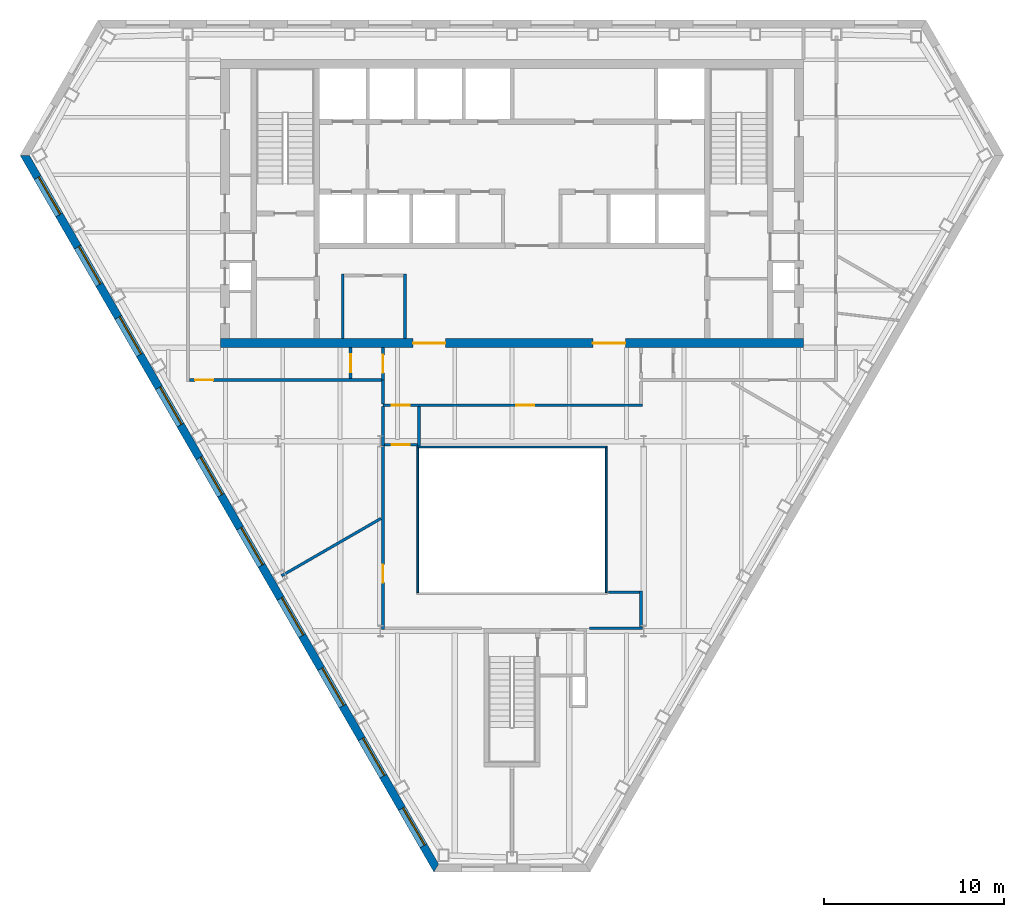
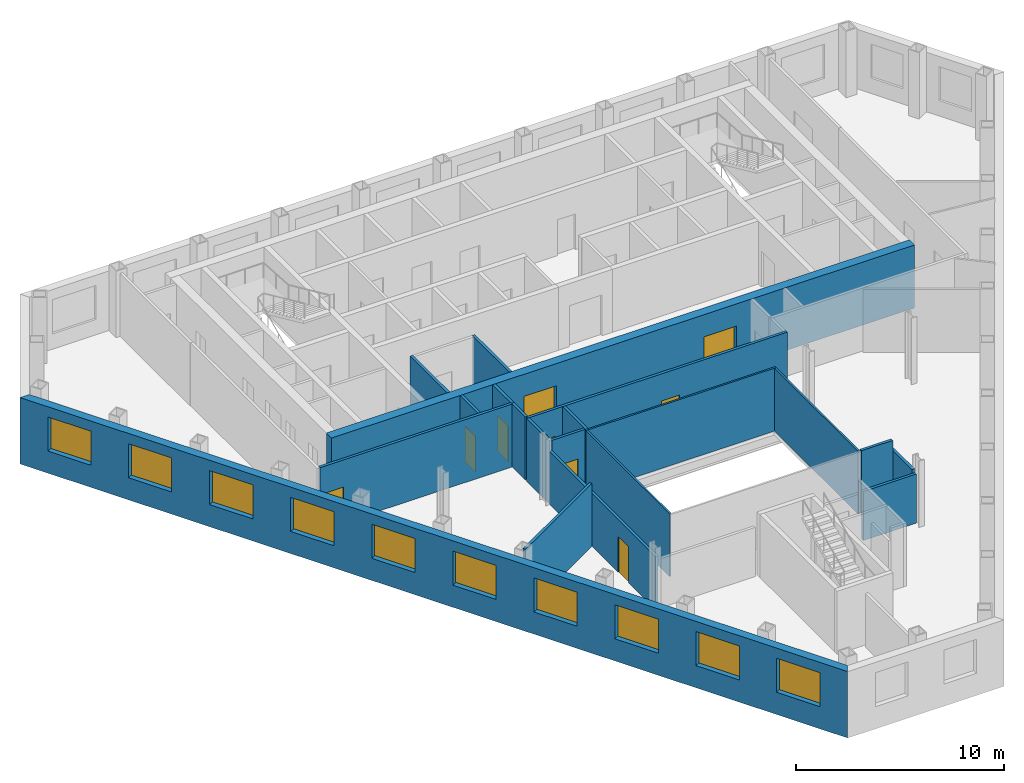
# One storey, part 4 of 10: 20 walls, 10 windows, 9 doors, 19 openings.
"""IFC4 building model written with IfcOpenShell, lengths in metres."""

from ifc_helpers import new_model, si_unit, direction, frame, frame_2d, origin, place, context, subcontext, project, spatial, polyline, rectangle, outline, extrude, material, layer, layer_set, type_object, element, fill, save


model = new_model("IFC4")

# Units and contexts
model_context = context("Model", 3, precision=1e-05, world=origin(), true_north=direction((0.0, 1.0)))
body_context = subcontext(model_context, "Body", "Model", "MODEL_VIEW")
ifc_project = project(units=[si_unit("LENGTHUNIT", "METRE"), si_unit("AREAUNIT", "SQUARE_METRE"), si_unit("VOLUMEUNIT", "CUBIC_METRE"), si_unit("PLANEANGLEUNIT", "RADIAN"), si_unit("MASSUNIT", "GRAM", prefix="KILO")], contexts=[model_context])

# Site, building, storey
site_placement = place(None, origin())
site = spatial("IfcSite", under=ifc_project, at=site_placement, CompositionType="ELEMENT")
building_placement = place(site_placement, origin())
building = spatial("IfcBuilding", under=site, at=building_placement, Name="Njiva Tower", CompositionType="ELEMENT")
storey_placement = place(building_placement, frame((0.0, 0.0, 155.4)))
storey = spatial("IfcBuildingStorey", under=building, at=storey_placement, Name="L33", CompositionType="ELEMENT", Elevation=155.4)

# Walls
ifc_material_1 = material(Name="Blockwork", Category="masonry")
ifc_layer_1 = layer(ifc_material_1, 0.15)
ifc_layer_set_1 = layer_set([ifc_layer_1], Name="Blockwork")
wall_type_1 = type_object("IfcWallType", Name="WT1 Compartment partition 150", PredefinedType="PARTITIONING", material=ifc_layer_set_1)
for number, where, z_axis, x_axis, name in (
    (1, (-9.4, 2.5, 0.0), (0.0, 0.0, 1.0), (0.0, 1.0, 0.0), "Information office wall west"),
    (2, (-5.95, 2.5, 0.0), (0.0, 0.0, 1.0), (0.0, 1.0, 0.0), "Information office wall east"),
):
    element("IfcWall", number, at=place(storey_placement, frame(where, z_axis=z_axis, x_axis=x_axis)), inside=storey, type_object=wall_type_1, Name=name, PredefinedType="PARTITIONING", context=body_context, shape_type="SweptSolid", body=[
        extrude(rectangle(XDim=3.575, YDim=0.15, at=frame_2d((1.7875, 0.0))), origin(), (0.0, 0.0, 1.0), 3.7),
    ])

# Wall, openings, doors
ifc_material_2 = material(Name="Concrete C60/75", Category="concrete")
ifc_layer_2 = layer(ifc_material_2, 0.5)
ifc_layer_set_2 = layer_set([ifc_layer_2], Name="Concrete C60/75")
wall_type_2 = type_object("IfcWallType", Name="WT13 Core wall 500", PredefinedType="SHEAR", material=ifc_layer_set_2)
wall_1_placement = place(storey_placement, frame((-16.2, 2.25, 0.0), z_axis=(0.0, 0.0, 1.0), x_axis=(1.0, 0.0, 0.0)))
wall_1 = element("IfcWall", 3, at=wall_1_placement, inside=storey, type_object=wall_type_2, Name="Core wall south", PredefinedType="SHEAR", context=body_context, shape_type="SweptSolid", body=[
    extrude(rectangle(XDim=32.4, YDim=0.5, at=frame_2d((16.2, 0.0))), origin(), (0.0, 0.0, 1.0), 3.7),
])
opening_1_placement = place(wall_1_placement, frame((10.7, 0.0, 0.0)))
opening_1 = element("IfcOpeningElement", 4, at=opening_1_placement, cuts=wall_1, Name="Opening S11-D934", PredefinedType="OPENING", context=body_context, shape_type="SweptSolid", body=[
    extrude(rectangle(XDim=1.8, YDim=2.4, at=frame_2d((0.9, 1.2))), frame((0.0, 0.26, 0.0), z_axis=(0.0, -1.0, 0.0), x_axis=(1.0, 0.0, 0.0)), (0.0, 0.0, 1.0), 0.52),
])
opening_2_placement = place(wall_1_placement, frame((20.7, 0.0, 0.0)))
opening_2 = element("IfcOpeningElement", 5, at=opening_2_placement, cuts=wall_1, Name="Opening S11-D935", PredefinedType="OPENING", context=body_context, shape_type="SweptSolid", body=[
    extrude(rectangle(XDim=1.8, YDim=2.4, at=frame_2d((0.9, 1.2))), frame((0.0, 0.26, 0.0), z_axis=(0.0, -1.0, 0.0), x_axis=(1.0, 0.0, 0.0)), (0.0, 0.0, 1.0), 0.52),
])
ifc_material_3 = material(Name="Steel and glass door", Category="steel")
door_type_1 = type_object("IfcDoorType", Name="D3 Core entrance door 1800x2400", OperationType="DOUBLE_DOOR_SINGLE_SWING", PredefinedType="DOOR", material=ifc_material_3)
door_1_placement = place(opening_1_placement, origin())
door_1 = element("IfcDoor", 6, at=door_1_placement, inside=storey, type_object=door_type_1, Name="Core entrance door", OperationType="DOUBLE_DOOR_SINGLE_SWING", OverallHeight=2.4, OverallWidth=1.8, PredefinedType="DOOR", context=body_context, shape_type="SweptSolid", body=[
    extrude(rectangle(XDim=1.8, YDim=2.4, at=frame_2d((0.9, 1.2))), frame((0.0, 0.025, 0.0), z_axis=(0.0, -1.0, 0.0), x_axis=(1.0, 0.0, 0.0)), (0.0, 0.0, 1.0), 0.05),
])
fill(opening_1, door_1)
door_2_placement = place(opening_2_placement, origin())
door_2 = element("IfcDoor", 7, at=door_2_placement, inside=storey, type_object=door_type_1, Name="Core entrance door", OperationType="DOUBLE_DOOR_SINGLE_SWING", OverallHeight=2.4, OverallWidth=1.8, PredefinedType="DOOR", context=body_context, shape_type="SweptSolid", body=[
    extrude(rectangle(XDim=1.8, YDim=2.4, at=frame_2d((0.9, 1.2))), frame((0.0, 0.025, 0.0), z_axis=(0.0, -1.0, 0.0), x_axis=(1.0, 0.0, 0.0)), (0.0, 0.0, 1.0), 0.05),
])
fill(opening_2, door_2)

# Wall, opening, door
ifc_material_4 = material(Name="Gypsum board on steel studs", Category="gypsum")
ifc_layer_3 = layer(ifc_material_4, 0.15)
ifc_layer_set_3 = layer_set([ifc_layer_3], Name="Gypsum board on steel studs")
wall_type_3 = type_object("IfcWallType", Name="WT21 Compartment wall 150", PredefinedType="PARTITIONING", material=ifc_layer_set_3)
wall_2_placement = place(storey_placement, frame((-17.925, 0.2, 0.0), z_axis=(0.0, 0.0, 1.0), x_axis=(1.0, 0.0, 0.0)))
wall_2 = element("IfcWall", 8, at=wall_2_placement, inside=storey, type_object=wall_type_3, Name="Partition S11-P004", PredefinedType="PARTITIONING", context=body_context, shape_type="SweptSolid", body=[
    extrude(rectangle(XDim=10.68, YDim=0.15, at=frame_2d((5.34, 0.0))), origin(), (0.0, 0.0, 1.0), 3.7),
])
opening_3_placement = place(wall_2_placement, frame((0.312, 0.0, 0.0)))
opening_3 = element("IfcOpeningElement", 9, at=opening_3_placement, cuts=wall_2, Name="Opening S11-D002", PredefinedType="OPENING", context=body_context, shape_type="SweptSolid", body=[
    extrude(rectangle(XDim=1.0, YDim=2.1, at=frame_2d((0.5, 1.05))), frame((0.0, 0.085, 0.0), z_axis=(0.0, -1.0, 0.0), x_axis=(1.0, 0.0, 0.0)), (0.0, 0.0, 1.0), 0.17),
])
ifc_material_5 = material(Name="Steel fire door set", Category="steel")
door_type_2 = type_object("IfcDoorType", Name="D37 Fire door 1000x2100", OperationType="SINGLE_SWING_LEFT", PredefinedType="DOOR", material=ifc_material_5)
door_3_placement = place(opening_3_placement, origin())
door_3 = element("IfcDoor", 10, at=door_3_placement, inside=storey, type_object=door_type_2, Name="Door S11-D002", OperationType="SINGLE_SWING_LEFT", OverallHeight=2.1, OverallWidth=1.0, PredefinedType="DOOR", context=body_context, shape_type="SweptSolid", body=[
    extrude(rectangle(XDim=1.0, YDim=2.1, at=frame_2d((0.5, 1.05))), frame((0.0, 0.025, 0.0), z_axis=(0.0, -1.0, 0.0), x_axis=(1.0, 0.0, 0.0)), (0.0, 0.0, 1.0), 0.05),
])
fill(opening_3, door_3)

# Wall
wall_3_placement = place(storey_placement, frame((-12.805, -10.684, 0.0), z_axis=(0.0, 0.0, 1.0), x_axis=(0.866073306909, 0.499917020175, 0.0)))
element("IfcWall", 11, at=wall_3_placement, inside=storey, type_object=wall_type_3, Name="Partition S11-P005", PredefinedType="PARTITIONING", context=body_context, shape_type="SweptSolid", body=[
    extrude(rectangle(XDim=6.3771, YDim=0.15, at=frame_2d((3.1886, 0.0))), origin(), (0.0, 0.0, 1.0), 3.7),
])

# Wall, opening, door
wall_4_placement = place(storey_placement, frame((-8.97, 0.275, 0.0), z_axis=(0.0, 0.0, 1.0), x_axis=(0.0, 1.0, 0.0)))
wall_4 = element("IfcWall", 12, at=wall_4_placement, inside=storey, type_object=wall_type_3, Name="Partition S11-P006", PredefinedType="PARTITIONING", context=body_context, shape_type="SweptSolid", body=[
    extrude(rectangle(XDim=1.725, YDim=0.15, at=frame_2d((0.8625, 0.0))), origin(), (0.0, 0.0, 1.0), 3.7),
])
opening_4_placement = place(wall_4_placement, frame((0.363, 0.0, 0.0)))
opening_4 = element("IfcOpeningElement", 13, at=opening_4_placement, cuts=wall_4, Name="Opening S11-D003", PredefinedType="OPENING", context=body_context, shape_type="SweptSolid", body=[
    extrude(rectangle(XDim=1.0, YDim=2.1, at=frame_2d((0.5, 1.05))), frame((0.0, 0.085, 0.0), z_axis=(0.0, -1.0, 0.0), x_axis=(1.0, 0.0, 0.0)), (0.0, 0.0, 1.0), 0.17),
])
door_4_placement = place(opening_4_placement, origin())
door_4 = element("IfcDoor", 14, at=door_4_placement, inside=storey, type_object=door_type_2, Name="Door S11-D003", OperationType="SINGLE_SWING_LEFT", OverallHeight=2.1, OverallWidth=1.0, PredefinedType="DOOR", context=body_context, shape_type="SweptSolid", body=[
    extrude(rectangle(XDim=1.0, YDim=2.1, at=frame_2d((0.5, 1.05))), frame((0.0, 0.025, 0.0), z_axis=(0.0, -1.0, 0.0), x_axis=(1.0, 0.0, 0.0)), (0.0, 0.0, 1.0), 0.05),
])
fill(opening_4, door_4)

wall_5_placement = place(storey_placement, frame((-7.17, -13.675, 0.0), z_axis=(0.0, 0.0, 1.0), x_axis=(0.0, 1.0, 0.0)))
wall_5 = element("IfcWall", 15, at=wall_5_placement, inside=storey, type_object=wall_type_3, Name="Partition S11-P007", PredefinedType="PARTITIONING", context=body_context, shape_type="SweptSolid", body=[
    extrude(rectangle(XDim=10.215, YDim=0.15, at=frame_2d((5.1075, 0.0))), origin(), (0.0, 0.0, 1.0), 3.11),
])
opening_5_placement = place(wall_5_placement, frame((2.608, 0.0, 0.0)))
opening_5 = element("IfcOpeningElement", 16, at=opening_5_placement, cuts=wall_5, Name="Opening S11-D004", PredefinedType="OPENING", context=body_context, shape_type="SweptSolid", body=[
    extrude(rectangle(XDim=1.0, YDim=2.1, at=frame_2d((0.5, 1.05))), frame((0.0, 0.085, 0.0), z_axis=(0.0, -1.0, 0.0), x_axis=(1.0, 0.0, 0.0)), (0.0, 0.0, 1.0), 0.17),
])
door_5_placement = place(opening_5_placement, origin())
door_5 = element("IfcDoor", 17, at=door_5_placement, inside=storey, type_object=door_type_2, Name="Door S11-D004", OperationType="SINGLE_SWING_RIGHT", OverallHeight=2.1, OverallWidth=1.0, PredefinedType="DOOR", context=body_context, shape_type="SweptSolid", body=[
    extrude(rectangle(XDim=1.0, YDim=2.1, at=frame_2d((0.5, 1.05))), frame((0.0, 0.025, 0.0), z_axis=(0.0, -1.0, 0.0), x_axis=(1.0, 0.0, 0.0)), (0.0, 0.0, 1.0), 0.05),
])
fill(opening_5, door_5)

# Wall
wall_6_placement = place(storey_placement, frame((-7.17, -3.46, 0.0), z_axis=(0.0, 0.0, 1.0), x_axis=(0.0, 1.0, 0.0)))
element("IfcWall", 18, at=wall_6_placement, inside=storey, type_object=wall_type_3, Name="Partition S11-P007A", PredefinedType="PARTITIONING", context=body_context, shape_type="SweptSolid", body=[
    extrude(rectangle(XDim=2.185, YDim=0.15, at=frame_2d((1.0925, 0.0))), origin(), (0.0, 0.0, 1.0), 3.7),
])

# Wall, openings, doors
wall_7_placement = place(storey_placement, frame((-7.17, -1.2, 0.0), z_axis=(0.0, 0.0, 1.0), x_axis=(1.0, 0.0, 0.0)))
wall_7 = element("IfcWall", 19, at=wall_7_placement, inside=storey, type_object=wall_type_3, Name="Partition S11-P008", PredefinedType="PARTITIONING", context=body_context, shape_type="SweptSolid", body=[
    extrude(rectangle(XDim=14.415, YDim=0.15, at=frame_2d((7.2075, 0.0))), origin(), (0.0, 0.0, 1.0), 3.7),
])
opening_6_placement = place(wall_7_placement, frame((0.5, 0.0, 0.0)))
opening_6 = element("IfcOpeningElement", 20, at=opening_6_placement, cuts=wall_7, Name="Opening S11-D005", PredefinedType="OPENING", context=body_context, shape_type="SweptSolid", body=[
    extrude(rectangle(XDim=1.0, YDim=2.1, at=frame_2d((0.5, 1.05))), frame((0.0, 0.085, 0.0), z_axis=(0.0, -1.0, 0.0), x_axis=(1.0, 0.0, 0.0)), (0.0, 0.0, 1.0), 0.17),
])
opening_7_placement = place(wall_7_placement, frame((7.42, 0.0, 0.0)))
opening_7 = element("IfcOpeningElement", 21, at=opening_7_placement, cuts=wall_7, Name="Opening S11-D006", PredefinedType="OPENING", context=body_context, shape_type="SweptSolid", body=[
    extrude(rectangle(XDim=1.0, YDim=2.1, at=frame_2d((0.5, 1.05))), frame((0.0, 0.085, 0.0), z_axis=(0.0, -1.0, 0.0), x_axis=(1.0, 0.0, 0.0)), (0.0, 0.0, 1.0), 0.17),
])
door_6_placement = place(opening_6_placement, origin())
door_6 = element("IfcDoor", 22, at=door_6_placement, inside=storey, type_object=door_type_2, Name="Door S11-D005", OperationType="SINGLE_SWING_RIGHT", OverallHeight=2.1, OverallWidth=1.0, PredefinedType="DOOR", context=body_context, shape_type="SweptSolid", body=[
    extrude(rectangle(XDim=1.0, YDim=2.1, at=frame_2d((0.5, 1.05))), frame((0.0, 0.025, 0.0), z_axis=(0.0, -1.0, 0.0), x_axis=(1.0, 0.0, 0.0)), (0.0, 0.0, 1.0), 0.05),
])
fill(opening_6, door_6)
door_7_placement = place(opening_7_placement, origin())
door_7 = element("IfcDoor", 23, at=door_7_placement, inside=storey, type_object=door_type_2, Name="Door S11-D006", OperationType="SINGLE_SWING_RIGHT", OverallHeight=2.1, OverallWidth=1.0, PredefinedType="DOOR", context=body_context, shape_type="SweptSolid", body=[
    extrude(rectangle(XDim=1.0, YDim=2.1, at=frame_2d((0.5, 1.05))), frame((0.0, 0.025, 0.0), z_axis=(0.0, -1.0, 0.0), x_axis=(1.0, 0.0, 0.0)), (0.0, 0.0, 1.0), 0.05),
])
fill(opening_7, door_7)

# Wall
wall_8_placement = place(storey_placement, frame((-7.17, -1.125, 0.0), z_axis=(0.0, 0.0, 1.0), x_axis=(0.0, 1.0, 0.0)))
element("IfcWall", 24, at=wall_8_placement, inside=storey, type_object=wall_type_3, Name="Partition S11-P009", PredefinedType="PARTITIONING", context=body_context, shape_type="SweptSolid", body=[
    extrude(rectangle(XDim=1.322, YDim=0.15, at=frame_2d((0.661, 0.0))), origin(), (0.0, 0.0, 1.0), 3.7),
])

# Wall, opening, door
wall_9_placement = place(storey_placement, frame((-7.17, 0.2, 0.0), z_axis=(0.0, 0.0, 1.0), x_axis=(0.0, 1.0, 0.0)))
wall_9 = element("IfcWall", 25, at=wall_9_placement, inside=storey, type_object=wall_type_3, Name="Partition S11-P010", PredefinedType="PARTITIONING", context=body_context, shape_type="SweptSolid", body=[
    extrude(rectangle(XDim=1.8, YDim=0.15, at=frame_2d((0.9, 0.0))), origin(), (0.0, 0.0, 1.0), 3.7),
])
opening_8_placement = place(wall_9_placement, frame((0.4, 0.0, 0.0)))
opening_8 = element("IfcOpeningElement", 26, at=opening_8_placement, cuts=wall_9, Name="Opening S11-D007", PredefinedType="OPENING", context=body_context, shape_type="SweptSolid", body=[
    extrude(rectangle(XDim=1.0, YDim=2.1, at=frame_2d((0.5, 1.05))), frame((0.0, 0.085, 0.0), z_axis=(0.0, -1.0, 0.0), x_axis=(1.0, 0.0, 0.0)), (0.0, 0.0, 1.0), 0.17),
])
door_8_placement = place(opening_8_placement, origin())
door_8 = element("IfcDoor", 27, at=door_8_placement, inside=storey, type_object=door_type_2, Name="Door S11-D007", OperationType="SINGLE_SWING_LEFT", OverallHeight=2.1, OverallWidth=1.0, PredefinedType="DOOR", context=body_context, shape_type="SweptSolid", body=[
    extrude(rectangle(XDim=1.0, YDim=2.1, at=frame_2d((0.5, 1.05))), frame((0.0, 0.025, 0.0), z_axis=(0.0, -1.0, 0.0), x_axis=(1.0, 0.0, 0.0)), (0.0, 0.0, 1.0), 0.05),
])
fill(opening_8, door_8)

wall_10_placement = place(storey_placement, frame((-7.095, -3.4, 0.0), z_axis=(0.0, 0.0, 1.0), x_axis=(1.0, 0.0, 0.0)))
wall_10 = element("IfcWall", 28, at=wall_10_placement, inside=storey, type_object=wall_type_3, Name="Partition S11-P012", PredefinedType="PARTITIONING", context=body_context, shape_type="SweptSolid", body=[
    extrude(rectangle(XDim=1.85, YDim=0.15, at=frame_2d((0.925, 0.0))), origin(), (0.0, 0.0, 1.0), 3.7),
])
opening_9_placement = place(wall_10_placement, frame((0.425, 0.0, 0.0)))
opening_9 = element("IfcOpeningElement", 29, at=opening_9_placement, cuts=wall_10, Name="Opening S11-D008", PredefinedType="OPENING", context=body_context, shape_type="SweptSolid", body=[
    extrude(rectangle(XDim=1.0, YDim=2.1, at=frame_2d((0.5, 1.05))), frame((0.0, 0.085, 0.0), z_axis=(0.0, -1.0, 0.0), x_axis=(1.0, 0.0, 0.0)), (0.0, 0.0, 1.0), 0.17),
])
door_9_placement = place(opening_9_placement, origin())
door_9 = element("IfcDoor", 30, at=door_9_placement, inside=storey, type_object=door_type_2, Name="Door S11-D008", OperationType="SINGLE_SWING_LEFT", OverallHeight=2.1, OverallWidth=1.0, PredefinedType="DOOR", context=body_context, shape_type="SweptSolid", body=[
    extrude(rectangle(XDim=1.0, YDim=2.1, at=frame_2d((0.5, 1.05))), frame((0.0, 0.025, 0.0), z_axis=(0.0, -1.0, 0.0), x_axis=(1.0, 0.0, 0.0)), (0.0, 0.0, 1.0), 0.05),
])
fill(opening_9, door_9)

# Walls
wall_11_placement = place(storey_placement, frame((-5.17, -3.48, 0.0), z_axis=(0.0, 0.0, 1.0), x_axis=(0.0, 1.0, 0.0)))
element("IfcWall", 31, at=wall_11_placement, inside=storey, type_object=wall_type_3, Name="Partition S11-P013", PredefinedType="PARTITIONING", context=body_context, shape_type="SweptSolid", body=[
    extrude(rectangle(XDim=2.205, YDim=0.15, at=frame_2d((1.1025, 0.0))), origin(), (0.0, 0.0, 1.0), 3.7),
])
wall_12_placement = place(storey_placement, frame((4.3, -13.6, 0.0), z_axis=(0.0, 0.0, 1.0), x_axis=(1.0, 0.0, 0.0)))
element("IfcWall", 32, at=wall_12_placement, inside=storey, type_object=wall_type_3, Name="Partition S11-P015", PredefinedType="PARTITIONING", context=body_context, shape_type="SweptSolid", body=[
    extrude(rectangle(XDim=2.945, YDim=0.15, at=frame_2d((1.4725, 0.0))), origin(), (0.0, 0.0, 1.0), 2.886),
])
wall_13_placement = place(storey_placement, frame((5.355, -11.6, 0.0), z_axis=(0.0, 0.0, 1.0), x_axis=(1.0, 0.0, 0.0)))
element("IfcWall", 33, at=wall_13_placement, inside=storey, type_object=wall_type_3, Name="Partition S11-P016", PredefinedType="PARTITIONING", context=body_context, shape_type="SweptSolid", body=[
    extrude(rectangle(XDim=1.74, YDim=0.15, at=frame_2d((0.87, 0.0))), origin(), (0.0, 0.0, 1.0), 3.7),
])
wall_14_placement = place(storey_placement, frame((7.17, -13.525, 0.0), z_axis=(0.0, 0.0, 1.0), x_axis=(0.0, 1.0, 0.0)))
element("IfcWall", 34, at=wall_14_placement, inside=storey, type_object=wall_type_3, Name="Partition S11-P017", PredefinedType="PARTITIONING", context=body_context, shape_type="SweptSolid", body=[
    extrude(rectangle(XDim=2.0, YDim=0.15, at=frame_2d((1.0, 0.0))), origin(), (0.0, 0.0, 1.0), 3.11),
])

# Wall, openings, windows
ifc_material_6 = material(Name="Brick masonry", Category="masonry")
ifc_layer_4 = layer(ifc_material_6, 0.45)
ifc_layer_set_4 = layer_set([ifc_layer_4], Name="Brick masonry")
wall_type_4 = type_object("IfcWallType", Name="WT90 Brick pier and spandrel wall 450", PredefinedType="SOLIDWALL", material=ifc_layer_set_4)
wall_15_placement = place(storey_placement, frame((-27.0752, 12.6829, -0.4), z_axis=(0.0, 0.0, 1.0), x_axis=(0.500000141277, -0.866025322218, 0.0)))
wall_15 = element("IfcWall", 35, at=wall_15_placement, inside=storey, type_object=wall_type_4, Name="Facade wall SW", PredefinedType="SOLIDWALL", context=body_context, shape_type="SweptSolid", body=[
    extrude(outline(polyline([(-0.1299, -0.225), (45.8601, -0.225), (45.6003, 0.225), (0.1299, 0.225), (-0.1299, -0.225)])), origin(), (0.0, 0.0, 1.0), 3.9),
])
opening_10_placement = place(wall_15_placement, frame((1.4237, 0.0, 1.3)))
opening_10 = element("IfcOpeningElement", 36, at=opening_10_placement, cuts=wall_15, Name="Opening S11-W12", PredefinedType="OPENING", context=body_context, shape_type="SweptSolid", body=[
    extrude(rectangle(XDim=2.4, YDim=2.0, at=frame_2d((1.2, 1.0))), frame((0.0, 0.235, 0.0), z_axis=(0.0, -1.0, 0.0), x_axis=(1.0, 0.0, 0.0)), (0.0, 0.0, 1.0), 0.47),
])
opening_11_placement = place(wall_15_placement, frame((5.8919, 0.0, 1.3)))
opening_11 = element("IfcOpeningElement", 37, at=opening_11_placement, cuts=wall_15, Name="Opening S11-W13", PredefinedType="OPENING", context=body_context, shape_type="SweptSolid", body=[
    extrude(rectangle(XDim=2.4, YDim=2.0, at=frame_2d((1.2, 1.0))), frame((0.0, 0.235, 0.0), z_axis=(0.0, -1.0, 0.0), x_axis=(1.0, 0.0, 0.0)), (0.0, 0.0, 1.0), 0.47),
])
opening_12_placement = place(wall_15_placement, frame((10.3985, 0.0, 1.3)))
opening_12 = element("IfcOpeningElement", 38, at=opening_12_placement, cuts=wall_15, Name="Opening S11-W14", PredefinedType="OPENING", context=body_context, shape_type="SweptSolid", body=[
    extrude(rectangle(XDim=2.4, YDim=2.0, at=frame_2d((1.2, 1.0))), frame((0.0, 0.235, 0.0), z_axis=(0.0, -1.0, 0.0), x_axis=(1.0, 0.0, 0.0)), (0.0, 0.0, 1.0), 0.47),
])
opening_13_placement = place(wall_15_placement, frame((14.9052, 0.0, 1.3)))
opening_13 = element("IfcOpeningElement", 39, at=opening_13_placement, cuts=wall_15, Name="Opening S11-W15", PredefinedType="OPENING", context=body_context, shape_type="SweptSolid", body=[
    extrude(rectangle(XDim=2.4, YDim=2.0, at=frame_2d((1.2, 1.0))), frame((0.0, 0.235, 0.0), z_axis=(0.0, -1.0, 0.0), x_axis=(1.0, 0.0, 0.0)), (0.0, 0.0, 1.0), 0.47),
])
opening_14_placement = place(wall_15_placement, frame((19.4118, 0.0, 1.3)))
opening_14 = element("IfcOpeningElement", 40, at=opening_14_placement, cuts=wall_15, Name="Opening S11-W16", PredefinedType="OPENING", context=body_context, shape_type="SweptSolid", body=[
    extrude(rectangle(XDim=2.4, YDim=2.0, at=frame_2d((1.2, 1.0))), frame((0.0, 0.235, 0.0), z_axis=(0.0, -1.0, 0.0), x_axis=(1.0, 0.0, 0.0)), (0.0, 0.0, 1.0), 0.47),
])
opening_15_placement = place(wall_15_placement, frame((23.9184, 0.0, 1.3)))
opening_15 = element("IfcOpeningElement", 41, at=opening_15_placement, cuts=wall_15, Name="Opening S11-W17", PredefinedType="OPENING", context=body_context, shape_type="SweptSolid", body=[
    extrude(rectangle(XDim=2.4, YDim=2.0, at=frame_2d((1.2, 1.0))), frame((0.0, 0.235, 0.0), z_axis=(0.0, -1.0, 0.0), x_axis=(1.0, 0.0, 0.0)), (0.0, 0.0, 1.0), 0.47),
])
opening_16_placement = place(wall_15_placement, frame((28.425, 0.0, 1.3)))
opening_16 = element("IfcOpeningElement", 42, at=opening_16_placement, cuts=wall_15, Name="Opening S11-W18", PredefinedType="OPENING", context=body_context, shape_type="SweptSolid", body=[
    extrude(rectangle(XDim=2.4, YDim=2.0, at=frame_2d((1.2, 1.0))), frame((0.0, 0.235, 0.0), z_axis=(0.0, -1.0, 0.0), x_axis=(1.0, 0.0, 0.0)), (0.0, 0.0, 1.0), 0.47),
])
opening_17_placement = place(wall_15_placement, frame((32.9316, 0.0, 1.3)))
opening_17 = element("IfcOpeningElement", 43, at=opening_17_placement, cuts=wall_15, Name="Opening S11-W19", PredefinedType="OPENING", context=body_context, shape_type="SweptSolid", body=[
    extrude(rectangle(XDim=2.4, YDim=2.0, at=frame_2d((1.2, 1.0))), frame((0.0, 0.235, 0.0), z_axis=(0.0, -1.0, 0.0), x_axis=(1.0, 0.0, 0.0)), (0.0, 0.0, 1.0), 0.47),
])
opening_18_placement = place(wall_15_placement, frame((37.4383, 0.0, 1.3)))
opening_18 = element("IfcOpeningElement", 44, at=opening_18_placement, cuts=wall_15, Name="Opening S11-W20", PredefinedType="OPENING", context=body_context, shape_type="SweptSolid", body=[
    extrude(rectangle(XDim=2.4, YDim=2.0, at=frame_2d((1.2, 1.0))), frame((0.0, 0.235, 0.0), z_axis=(0.0, -1.0, 0.0), x_axis=(1.0, 0.0, 0.0)), (0.0, 0.0, 1.0), 0.47),
])
opening_19_placement = place(wall_15_placement, frame((41.9065, 0.0, 1.3)))
opening_19 = element("IfcOpeningElement", 45, at=opening_19_placement, cuts=wall_15, Name="Opening S11-W21", PredefinedType="OPENING", context=body_context, shape_type="SweptSolid", body=[
    extrude(rectangle(XDim=2.4, YDim=2.0, at=frame_2d((1.2, 1.0))), frame((0.0, 0.235, 0.0), z_axis=(0.0, -1.0, 0.0), x_axis=(1.0, 0.0, 0.0)), (0.0, 0.0, 1.0), 0.47),
])
ifc_material_7 = material(Name="Clear glazing in aluminium frame", Category="aluminium")
window_type = type_object("IfcWindowType", Name="W90 Deep-set window 2400x2000", PartitioningType="SINGLE_PANEL", PredefinedType="WINDOW", material=ifc_material_7)
window_1_placement = place(opening_10_placement, origin())
window_1 = element("IfcWindow", 46, at=window_1_placement, inside=storey, type_object=window_type, Name="Window", OverallHeight=2.0, OverallWidth=2.4, PartitioningType="SINGLE_PANEL", PredefinedType="WINDOW", context=body_context, shape_type="SweptSolid", body=[
    extrude(rectangle(XDim=2.4, YDim=2.0, at=frame_2d((1.2, 1.0))), frame((0.0, 0.105, 0.0), z_axis=(0.0, -1.0, 0.0), x_axis=(1.0, 0.0, 0.0)), (0.0, 0.0, 1.0), 0.06),
])
fill(opening_10, window_1)
window_2_placement = place(opening_11_placement, origin())
window_2 = element("IfcWindow", 47, at=window_2_placement, inside=storey, type_object=window_type, Name="Window", OverallHeight=2.0, OverallWidth=2.4, PartitioningType="SINGLE_PANEL", PredefinedType="WINDOW", context=body_context, shape_type="SweptSolid", body=[
    extrude(rectangle(XDim=2.4, YDim=2.0, at=frame_2d((1.2, 1.0))), frame((0.0, 0.105, 0.0), z_axis=(0.0, -1.0, 0.0), x_axis=(1.0, 0.0, 0.0)), (0.0, 0.0, 1.0), 0.06),
])
fill(opening_11, window_2)
window_3_placement = place(opening_12_placement, origin())
window_3 = element("IfcWindow", 48, at=window_3_placement, inside=storey, type_object=window_type, Name="Window", OverallHeight=2.0, OverallWidth=2.4, PartitioningType="SINGLE_PANEL", PredefinedType="WINDOW", context=body_context, shape_type="SweptSolid", body=[
    extrude(rectangle(XDim=2.4, YDim=2.0, at=frame_2d((1.2, 1.0))), frame((0.0, 0.105, 0.0), z_axis=(0.0, -1.0, 0.0), x_axis=(1.0, 0.0, 0.0)), (0.0, 0.0, 1.0), 0.06),
])
fill(opening_12, window_3)
window_4_placement = place(opening_13_placement, origin())
window_4 = element("IfcWindow", 49, at=window_4_placement, inside=storey, type_object=window_type, Name="Window", OverallHeight=2.0, OverallWidth=2.4, PartitioningType="SINGLE_PANEL", PredefinedType="WINDOW", context=body_context, shape_type="SweptSolid", body=[
    extrude(rectangle(XDim=2.4, YDim=2.0, at=frame_2d((1.2, 1.0))), frame((0.0, 0.105, 0.0), z_axis=(0.0, -1.0, 0.0), x_axis=(1.0, 0.0, 0.0)), (0.0, 0.0, 1.0), 0.06),
])
fill(opening_13, window_4)
window_5_placement = place(opening_14_placement, origin())
window_5 = element("IfcWindow", 50, at=window_5_placement, inside=storey, type_object=window_type, Name="Window", OverallHeight=2.0, OverallWidth=2.4, PartitioningType="SINGLE_PANEL", PredefinedType="WINDOW", context=body_context, shape_type="SweptSolid", body=[
    extrude(rectangle(XDim=2.4, YDim=2.0, at=frame_2d((1.2, 1.0))), frame((0.0, 0.105, 0.0), z_axis=(0.0, -1.0, 0.0), x_axis=(1.0, 0.0, 0.0)), (0.0, 0.0, 1.0), 0.06),
])
fill(opening_14, window_5)
window_6_placement = place(opening_15_placement, origin())
window_6 = element("IfcWindow", 51, at=window_6_placement, inside=storey, type_object=window_type, Name="Window", OverallHeight=2.0, OverallWidth=2.4, PartitioningType="SINGLE_PANEL", PredefinedType="WINDOW", context=body_context, shape_type="SweptSolid", body=[
    extrude(rectangle(XDim=2.4, YDim=2.0, at=frame_2d((1.2, 1.0))), frame((0.0, 0.105, 0.0), z_axis=(0.0, -1.0, 0.0), x_axis=(1.0, 0.0, 0.0)), (0.0, 0.0, 1.0), 0.06),
])
fill(opening_15, window_6)
window_7_placement = place(opening_16_placement, origin())
window_7 = element("IfcWindow", 52, at=window_7_placement, inside=storey, type_object=window_type, Name="Window", OverallHeight=2.0, OverallWidth=2.4, PartitioningType="SINGLE_PANEL", PredefinedType="WINDOW", context=body_context, shape_type="SweptSolid", body=[
    extrude(rectangle(XDim=2.4, YDim=2.0, at=frame_2d((1.2, 1.0))), frame((0.0, 0.105, 0.0), z_axis=(0.0, -1.0, 0.0), x_axis=(1.0, 0.0, 0.0)), (0.0, 0.0, 1.0), 0.06),
])
fill(opening_16, window_7)
window_8_placement = place(opening_17_placement, origin())
window_8 = element("IfcWindow", 53, at=window_8_placement, inside=storey, type_object=window_type, Name="Window", OverallHeight=2.0, OverallWidth=2.4, PartitioningType="SINGLE_PANEL", PredefinedType="WINDOW", context=body_context, shape_type="SweptSolid", body=[
    extrude(rectangle(XDim=2.4, YDim=2.0, at=frame_2d((1.2, 1.0))), frame((0.0, 0.105, 0.0), z_axis=(0.0, -1.0, 0.0), x_axis=(1.0, 0.0, 0.0)), (0.0, 0.0, 1.0), 0.06),
])
fill(opening_17, window_8)
window_9_placement = place(opening_18_placement, origin())
window_9 = element("IfcWindow", 54, at=window_9_placement, inside=storey, type_object=window_type, Name="Window", OverallHeight=2.0, OverallWidth=2.4, PartitioningType="SINGLE_PANEL", PredefinedType="WINDOW", context=body_context, shape_type="SweptSolid", body=[
    extrude(rectangle(XDim=2.4, YDim=2.0, at=frame_2d((1.2, 1.0))), frame((0.0, 0.105, 0.0), z_axis=(0.0, -1.0, 0.0), x_axis=(1.0, 0.0, 0.0)), (0.0, 0.0, 1.0), 0.06),
])
fill(opening_18, window_9)
window_10_placement = place(opening_19_placement, origin())
window_10 = element("IfcWindow", 55, at=window_10_placement, inside=storey, type_object=window_type, Name="Window", OverallHeight=2.0, OverallWidth=2.4, PartitioningType="SINGLE_PANEL", PredefinedType="WINDOW", context=body_context, shape_type="SweptSolid", body=[
    extrude(rectangle(XDim=2.4, YDim=2.0, at=frame_2d((1.2, 1.0))), frame((0.0, 0.105, 0.0), z_axis=(0.0, -1.0, 0.0), x_axis=(1.0, 0.0, 0.0)), (0.0, 0.0, 1.0), 0.06),
])
fill(opening_19, window_10)

# Walls
ifc_material_8 = material(Name="Fire-resisting glazing EI 90", Category="glass")
ifc_layer_5 = layer(ifc_material_8, 0.1)
ifc_layer_set_5 = layer_set([ifc_layer_5], Name="Fire-resisting glazing EI 90")
wall_type_5 = type_object("IfcWallType", Name="WT95 Fire-resisting glazed screen EI 90", PredefinedType="PARTITIONING", material=ifc_layer_set_5)
wall_16_placement = place(storey_placement, frame((5.24, -11.62, 0.0), z_axis=(0.0, 0.0, 1.0), x_axis=(0.0, 1.0, 0.0)))
element("IfcWall", 56, at=wall_16_placement, inside=storey, type_object=wall_type_5, Name="Atrium fire screen east", PredefinedType="PARTITIONING", context=body_context, shape_type="SweptSolid", body=[
    extrude(rectangle(XDim=8.04, YDim=0.1, at=frame_2d((4.02, 0.0))), origin(), (0.0, 0.0, 1.0), 3.7),
])
wall_17_placement = place(storey_placement, frame((5.29, -3.53, 0.0), z_axis=(0.0, 0.0, 1.0), x_axis=(-1.0, 0.0, 0.0)))
element("IfcWall", 57, at=wall_17_placement, inside=storey, type_object=wall_type_5, Name="Atrium fire screen north", PredefinedType="PARTITIONING", context=body_context, shape_type="SweptSolid", body=[
    extrude(rectangle(XDim=10.58, YDim=0.1, at=frame_2d((5.29, 0.0))), origin(), (0.0, 0.0, 1.0), 3.7),
])
wall_18_placement = place(storey_placement, frame((-5.24, -3.58, 0.0), z_axis=(0.0, 0.0, 1.0), x_axis=(0.0, -1.0, 0.0)))
element("IfcWall", 58, at=wall_18_placement, inside=storey, type_object=wall_type_5, Name="Atrium fire screen west", PredefinedType="PARTITIONING", context=body_context, shape_type="SweptSolid", body=[
    extrude(rectangle(XDim=8.04, YDim=0.1, at=frame_2d((4.02, 0.0))), origin(), (0.0, 0.0, 1.0), 3.7),
])

save(model, "model.ifc")
